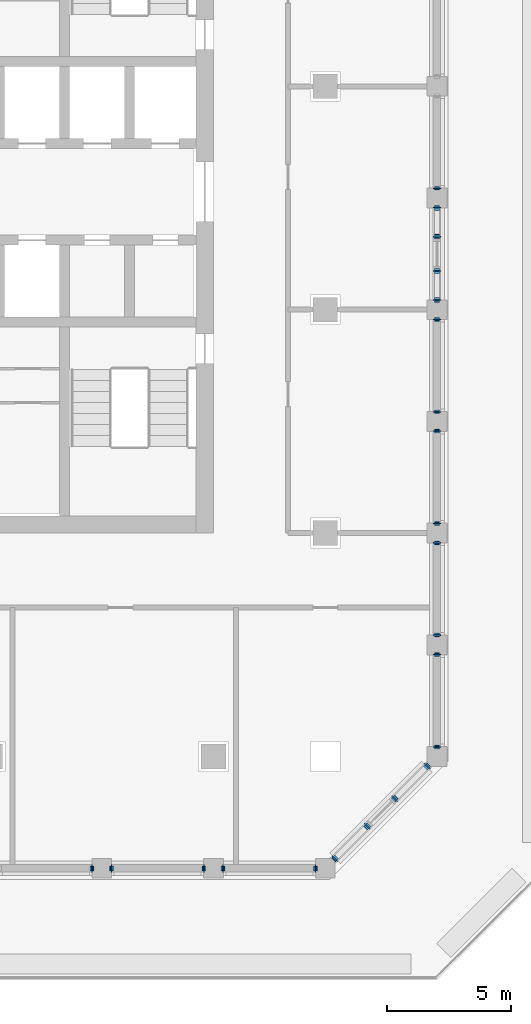
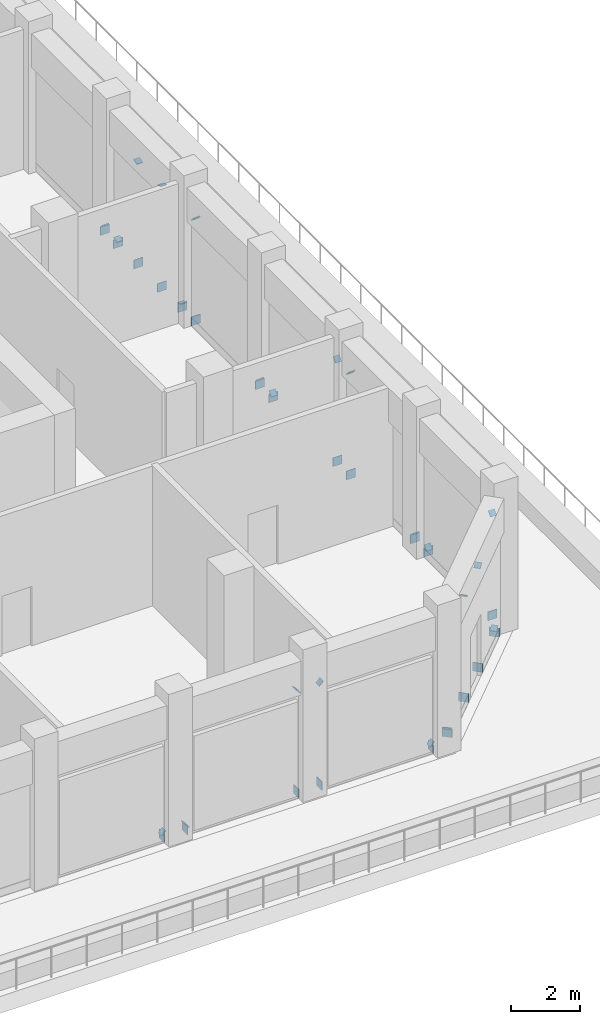
# One storey, part 11 of 19: 44 discrete accessories.
"""IFC4 building model written with IfcOpenShell, lengths in metres."""

from ifc_helpers import new_model, si_unit, direction, frame, origin, origin_2d, place, context, subcontext, project, spatial, rectangle, extrude, material, material_profile, profile_set, type_object, element, save


model = new_model("IFC4")

# Units and contexts
model_context = context("Model", 3, precision=1e-05, world=origin(), true_north=direction((0.0, 1.0)))
body_context = subcontext(model_context, "Body", "Model", "MODEL_VIEW")
ifc_project = project(units=[si_unit("LENGTHUNIT", "METRE"), si_unit("AREAUNIT", "SQUARE_METRE"), si_unit("VOLUMEUNIT", "CUBIC_METRE"), si_unit("PLANEANGLEUNIT", "RADIAN"), si_unit("MASSUNIT", "GRAM", prefix="KILO")], contexts=[model_context])

# Site, building, storey
site_placement = place(None, origin())
site = spatial("IfcSite", under=ifc_project, at=site_placement, CompositionType="ELEMENT")
building_placement = place(site_placement, origin())
building = spatial("IfcBuilding", under=site, at=building_placement, Name="Corbel Stack Research Tower", CompositionType="ELEMENT")
storey_placement = place(building_placement, frame((0.0, 0.0, 226.199951171875)))
storey = spatial("IfcBuildingStorey", under=building, at=storey_placement, Name="L51", CompositionType="ELEMENT", Elevation=226.199951171875)

# Discrete accessories
ifc_material_1 = material(Name="Steel S355", Category="steel")
ifc_material_profile_1 = material_profile(ifc_material_1, rectangle(XDim=0.202880859375, YDim=0.202880859375, at=origin_2d()), Name="End plate 203x203x25")
ifc_profile_set_1 = profile_set([ifc_material_profile_1], Name="Steel S355")
discrete_accessory_type_1 = type_object("IfcDiscreteAccessoryType", Name="End plate 203x203x25", PredefinedType="ANCHORPLATE", material=ifc_profile_set_1)
for number, where, z_axis, x_axis, name in (
    (1, (13.10009765625, -22.5, 0.30810546875), (0.731055268243, 0.0, -0.68231825036), (0.0, 1.0, 0.0), "Belt truss end plate L51-06d1"),
    (2, (13.89990234375, -22.5, 0.30810546875), (-0.731055268243, 0.0, -0.68231825036), (0.0, -1.0, 0.0), "Belt truss end plate L51-07d1"),
    (3, (17.60009765625, -22.5, 3.75), (0.731055268243, 0.0, 0.68231825036), (0.0, 1.0, 0.0), "Belt truss end plate L51-07d2"),
    (4, (22.10009765625, -22.5, 0.30810546875), (0.731055268243, 0.0, -0.68231825036), (0.0, 1.0, 0.0), "Belt truss end plate L51-08d1"),
    (5, (18.39990234375, -22.5, 3.75), (-0.731055268243, 0.0, 0.68231825036), (0.0, -1.0, 0.0), "Belt truss end plate L51-08d2"),
    (6, (22.89990234375, -22.10009765625, 0.30810546875), (-0.33034628782, -0.33034628782, -0.884162123282), (0.707106781187, -0.707106781187, 0.0), "Belt truss end plate L51-09ad1"),
    (7, (24.184326171875, -20.815673828125, 3.75), (0.33034628782, 0.33034628782, 0.884162123282), (-0.707106781187, 0.707106781187, 0.0), "Belt truss end plate L51-09ad2"),
    (8, (26.60009765625, -18.39990234375, 0.30810546875), (0.33034628782, 0.33034628782, -0.884162123282), (-0.707106781187, 0.707106781187, 0.0), "Belt truss end plate L51-09bd1"),
    (9, (25.315673828125, -19.684326171875, 3.75), (-0.33034628782, -0.33034628782, 0.884162123282), (0.707106781187, -0.707106781187, 0.0), "Belt truss end plate L51-09bd2"),
    (10, (27.0, -13.89990234375, 0.30810546875), (0.0, 0.731055268243, -0.68231825036), (-1.0, 0.0, 0.0), "Belt truss end plate L51-10d1"),
    (11, (27.0, -17.60009765625, 3.75), (0.0, -0.731055268243, 0.68231825036), (1.0, 0.0, 0.0), "Belt truss end plate L51-10d2"),
    (12, (27.0, -13.10009765625, 0.30810546875), (0.0, -0.731055268243, -0.68231825036), (1.0, 0.0, 0.0), "Belt truss end plate L51-11d1"),
    (13, (27.0, -9.39990234375, 3.75), (0.0, 0.731055268243, 0.68231825036), (-1.0, 0.0, 0.0), "Belt truss end plate L51-11d2"),
    (14, (27.0, -4.89990234375, 0.30810546875), (0.0, 0.731055268243, -0.68231825036), (-1.0, 0.0, 0.0), "Belt truss end plate L51-12d1"),
    (15, (27.0, -8.60009765625, 3.75), (0.0, -0.731055268243, 0.68231825036), (1.0, 0.0, 0.0), "Belt truss end plate L51-12d2"),
    (16, (27.0, -4.10009765625, 0.30810546875), (0.0, -0.731055268243, -0.68231825036), (1.0, 0.0, 0.0), "Belt truss end plate L51-13d1"),
    (17, (27.0, -0.39990234375, 3.75), (0.0, 0.731055268243, 0.68231825036), (-1.0, 0.0, 0.0), "Belt truss end plate L51-13d2"),
):
    element("IfcDiscreteAccessory", number, at=place(storey_placement, frame(where, z_axis=z_axis, x_axis=x_axis)), inside=storey, type_object=discrete_accessory_type_1, Name=name, PredefinedType="ANCHORPLATE", context=body_context, shape_type="SweptSolid", body=[
        extrude(rectangle(XDim=0.202880859375, YDim=0.202880859375, at=origin_2d()), origin(), (0.0, 0.0, 1.0), 0.025146484375),
    ])
for number, where, z_axis, x_axis, name in (
    (18, (27.0, 0.39990234375, 0.30810546875), (0.0, -0.313289164578, -0.949657780128), (1.0, 0.0, 0.0), "Belt truss end plate L51-14ad1"),
    (19, (27.0, 1.550048828125, 3.75), (0.0, 0.313289164578, 0.949657780128), (-1.0, 0.0, 0.0), "Belt truss end plate L51-14ad2"),
    (20, (27.0, 4.10009765625, 0.30810546875), (0.0, 0.313289164578, -0.949657780128), (-1.0, 0.0, 0.0), "Belt truss end plate L51-14bd1"),
    (21, (27.0, 2.949951171875, 3.75), (0.0, -0.313289164578, 0.949657780128), (1.0, 0.0, 0.0), "Belt truss end plate L51-14bd2"),
):
    element("IfcDiscreteAccessory", number, at=place(storey_placement, frame(where, z_axis=z_axis, x_axis=x_axis)), inside=storey, type_object=discrete_accessory_type_1, Name=name, PredefinedType="ANCHORPLATE", context=body_context, shape_type="SweptSolid", body=[
        extrude(rectangle(XDim=0.202880859375, YDim=0.202880859375, at=origin_2d()), origin(), (0.0, 0.0, 1.0), 0.02490234375),
    ])
discrete_accessory_placement = place(storey_placement, frame((27.0, 4.89990234375, 0.30810546875), z_axis=(0.0, -0.731055268243, -0.68231825036), x_axis=(1.0, 0.0, 0.0)))
element("IfcDiscreteAccessory", 22, at=discrete_accessory_placement, inside=storey, type_object=discrete_accessory_type_1, Name="Belt truss end plate L51-15d1", PredefinedType="ANCHORPLATE", context=body_context, shape_type="SweptSolid", body=[
    extrude(rectangle(XDim=0.202880859375, YDim=0.202880859375, at=origin_2d()), origin(), (0.0, 0.0, 1.0), 0.025146484375),
])
ifc_material_2 = material(Name="Steel S355", Category="steel")
ifc_material_profile_2 = material_profile(ifc_material_2, rectangle(XDim=0.304931640625, YDim=0.30810546875, at=origin_2d()), Name="End plate 305x308x25")
ifc_profile_set_2 = profile_set([ifc_material_profile_2], Name="Steel S355")
discrete_accessory_type_2 = type_object("IfcDiscreteAccessoryType", Name="End plate 305x308x25", PredefinedType="ANCHORPLATE", material=ifc_profile_set_2)
for number, where, z_axis, x_axis, name in (
    (23, (13.10009765625, -22.5, 0.154052734375), (1.0, 0.0, 0.0), (0.0, 1.0, 0.0), "Belt truss end plate L51-06c2"),
    (24, (13.89990234375, -22.5, 0.154052734375), (-1.0, 0.0, 0.0), (0.0, -1.0, 0.0), "Belt truss end plate L51-07c1"),
    (25, (17.60009765625, -22.5, 0.154052734375), (1.0, 0.0, 0.0), (0.0, 1.0, 0.0), "Belt truss end plate L51-07c2"),
    (26, (18.39990234375, -22.5, 0.154052734375), (-1.0, 0.0, 0.0), (0.0, -1.0, 0.0), "Belt truss end plate L51-08c1"),
    (27, (22.10009765625, -22.5, 0.154052734375), (1.0, 0.0, 0.0), (0.0, 1.0, 0.0), "Belt truss end plate L51-08c2"),
    (28, (22.89990234375, -22.10009765625, 0.154052734375), (-0.707106781187, -0.707106781187, 0.0), (0.707106781187, -0.707106781187, 0.0), "Belt truss end plate L51-09ac1"),
    (29, (24.184326171875, -20.815673828125, 0.154052734375), (0.707106781187, 0.707106781187, 0.0), (-0.707106781187, 0.707106781187, 0.0), "Belt truss end plate L51-09ac2"),
    (30, (25.315673828125, -19.684326171875, 0.154052734375), (-0.707106781187, -0.707106781187, 0.0), (0.707106781187, -0.707106781187, 0.0), "Belt truss end plate L51-09bc1"),
    (31, (26.60009765625, -18.39990234375, 0.154052734375), (0.707106781187, 0.707106781187, 0.0), (-0.707106781187, 0.707106781187, 0.0), "Belt truss end plate L51-09bc2"),
    (32, (27.0, -17.60009765625, 0.154052734375), (0.0, -1.0, 0.0), (1.0, 0.0, 0.0), "Belt truss end plate L51-10c1"),
    (33, (27.0, -13.89990234375, 0.154052734375), (0.0, 1.0, 0.0), (-1.0, 0.0, 0.0), "Belt truss end plate L51-10c2"),
    (34, (27.0, -13.10009765625, 0.154052734375), (0.0, -1.0, 0.0), (1.0, 0.0, 0.0), "Belt truss end plate L51-11c1"),
    (35, (27.0, -9.39990234375, 0.154052734375), (0.0, 1.0, 0.0), (-1.0, 0.0, 0.0), "Belt truss end plate L51-11c2"),
    (36, (27.0, -8.60009765625, 0.154052734375), (0.0, -1.0, 0.0), (1.0, 0.0, 0.0), "Belt truss end plate L51-12c1"),
    (37, (27.0, -4.89990234375, 0.154052734375), (0.0, 1.0, 0.0), (-1.0, 0.0, 0.0), "Belt truss end plate L51-12c2"),
    (38, (27.0, -4.10009765625, 0.154052734375), (0.0, -1.0, 0.0), (1.0, 0.0, 0.0), "Belt truss end plate L51-13c1"),
    (39, (27.0, -0.39990234375, 0.154052734375), (0.0, 1.0, 0.0), (-1.0, 0.0, 0.0), "Belt truss end plate L51-13c2"),
    (40, (27.0, 0.39990234375, 0.154052734375), (0.0, -1.0, 0.0), (1.0, 0.0, 0.0), "Belt truss end plate L51-14ac1"),
    (41, (27.0, 1.550048828125, 0.154052734375), (0.0, 1.0, 0.0), (-1.0, 0.0, 0.0), "Belt truss end plate L51-14ac2"),
    (42, (27.0, 2.949951171875, 0.154052734375), (0.0, -1.0, 0.0), (1.0, 0.0, 0.0), "Belt truss end plate L51-14bc1"),
    (43, (27.0, 4.10009765625, 0.154052734375), (0.0, 1.0, 0.0), (-1.0, 0.0, 0.0), "Belt truss end plate L51-14bc2"),
    (44, (27.0, 4.89990234375, 0.154052734375), (0.0, -1.0, 0.0), (1.0, 0.0, 0.0), "Belt truss end plate L51-15c1"),
):
    element("IfcDiscreteAccessory", number, at=place(storey_placement, frame(where, z_axis=z_axis, x_axis=x_axis)), inside=storey, type_object=discrete_accessory_type_2, Name=name, PredefinedType="ANCHORPLATE", context=body_context, shape_type="SweptSolid", body=[
        extrude(rectangle(XDim=0.304931640625, YDim=0.30810546875, at=origin_2d()), origin(), (0.0, 0.0, 1.0), 0.02490234375),
    ])

save(model, "model.ifc")
